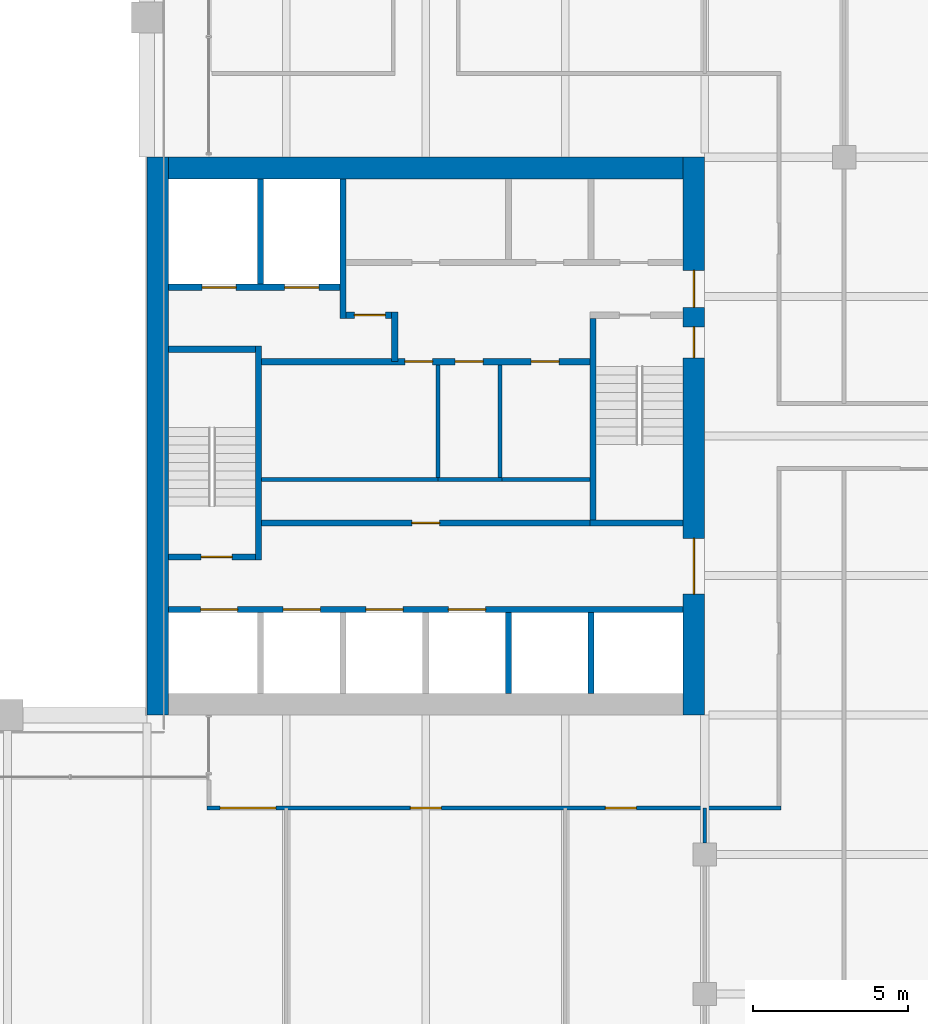
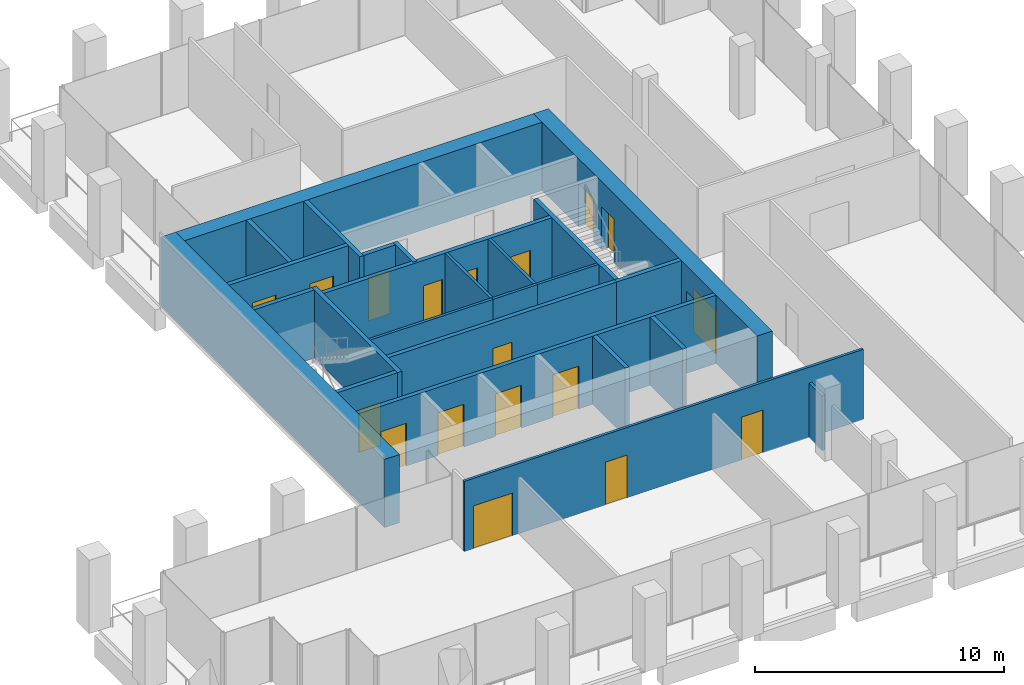
# One storey, part 41 of 46: 25 walls, 18 doors, 18 openings.
"""IFC4 building model written with IfcOpenShell, lengths in metres."""

import ifcopenshell
import ifcopenshell.guid

model = None  # the IFC model being written
_history = None  # IfcOwnerHistory: only IFC2X3 demands one
_inside = {}  # id of a spatial element -> (the spatial element, [elements in it])
_under = {}  # id of a project, library or spatial element -> (it, [spatial elements below it])
_declared = {}  # id of a project -> (the project, [libraries it declares])
_typed = {}  # id of a type object -> (the type object, [elements of that type])
_made_of = {}  # id of a material, layer set ... -> (it, [elements and type objects made of it])


def new_model(schema):
    """Start an empty IFC model of exactly this schema.

    Asked for "IFC4X3", IfcOpenShell would pick the latest addendum, in which some entities
    have other attributes; the version numbers below select the first issue.
    IFC2X3 requires an IfcOwnerHistory on every rooted entity: one is made here for all.
    """
    global model, _history
    if schema == "IFC4X3":
        model = ifcopenshell.file(schema_version=(4, 3, 0, 0))
    else:
        model = ifcopenshell.file(schema=schema)
    _inside.clear()
    _under.clear()
    _declared.clear()
    _typed.clear()
    _made_of.clear()
    _history = None
    if model.schema == "IFC2X3":
        org = make("IfcOrganization", Name="unknown")
        user = make(
            "IfcPersonAndOrganization",
            ThePerson=make("IfcPerson", FamilyName="unknown"),
            TheOrganization=org,
        )
        app = make(
            "IfcApplication",
            ApplicationDeveloper=org,
            Version="unknown",
            ApplicationFullName="unknown",
            ApplicationIdentifier="unknown",
        )
        _history = make(
            "IfcOwnerHistory",
            OwningUser=user,
            OwningApplication=app,
            ChangeAction="ADDED",
            CreationDate=0,
        )
    return model


def make(cls, **values):
    """One entity of the class cls with the attributes given. An attribute that is None is left unset."""
    return model.create_entity(
        cls, **{name: value for name, value in values.items() if value is not None}
    )


def rooted(cls, **values):
    """An entity with a GlobalId (a new one), such as an element, a storey or a relation."""
    return make(cls, GlobalId=ifcopenshell.guid.new(), OwnerHistory=_history, **values)


def si_unit(unit_type, name, prefix=None):
    """IfcSIUnit, for example si_unit("LENGTHUNIT", "METRE", prefix="MILLI")."""
    return make("IfcSIUnit", UnitType=unit_type, Prefix=prefix, Name=name)


def assignment(units):
    """IfcUnitAssignment: the units of a project."""
    return None if units is None else make("IfcUnitAssignment", Units=units)


def point(xyz):
    """IfcCartesianPoint."""
    return None if xyz is None else make("IfcCartesianPoint", Coordinates=xyz)


def direction(xyz):
    """IfcDirection."""
    return None if xyz is None else make("IfcDirection", DirectionRatios=xyz)


def frame(location, z_axis=None, x_axis=None):
    """IfcAxis2Placement3D, a coordinate frame: its origin and axes. An axis left out is left unset."""
    return make(
        "IfcAxis2Placement3D",
        Location=point(location),
        Axis=direction(z_axis),
        RefDirection=direction(x_axis),
    )


def frame_2d(location, x_axis=None):
    """IfcAxis2Placement2D, a coordinate frame in the plane: its origin and x axis."""
    return make(
        "IfcAxis2Placement2D", Location=point(location), RefDirection=direction(x_axis)
    )


def origin():
    """The frame at (0, 0, 0) with its axes left unset."""
    return frame((0.0, 0.0, 0.0))


def place(relative_to, where):
    """IfcLocalPlacement: puts the frame where relative to a parent placement (None: the world)."""
    return make(
        "IfcLocalPlacement", PlacementRelTo=relative_to, RelativePlacement=where
    )


def context(
    kind, dimensions, precision=None, world=None, true_north=None, identifier=None
):
    """IfcGeometricRepresentationContext, for example the 3D "Model" context."""
    return make(
        "IfcGeometricRepresentationContext",
        ContextIdentifier=identifier,
        ContextType=kind,
        CoordinateSpaceDimension=dimensions,
        Precision=precision,
        WorldCoordinateSystem=world,
        TrueNorth=true_north,
    )


def subcontext(parent, identifier, kind, view, scale=None):
    """IfcGeometricRepresentationSubContext, for example "Body" below "Model"."""
    return make(
        "IfcGeometricRepresentationSubContext",
        ContextIdentifier=identifier,
        ContextType=kind,
        ParentContext=parent,
        TargetScale=scale,
        TargetView=view,
    )


def project(units=None, contexts=None):
    """IfcProject with its units and contexts."""
    return rooted(
        "IfcProject",
        Name="project",
        RepresentationContexts=contexts,
        UnitsInContext=assignment(units),
    )


def spatial(cls, under=None, at=None, **own):
    """A site, building, storey or space (cls), placed at a placement, below another one or the project."""
    s = rooted(cls, ObjectPlacement=at, **own)
    if under is not None:
        _under.setdefault(under.id(), (under, []))[1].append(s)
    return s


def profile(cls, at=None, kind="AREA", **sizes):
    """A parametric profile (cls). Its sizes go by their IFC names, for example OverallWidth=200.0."""
    return make(cls, ProfileType=kind, Position=at, **sizes)


def rectangle(**sizes):
    """IfcRectangleProfileDef."""
    return profile("IfcRectangleProfileDef", **sizes)


def extrude(swept, where, along, depth):
    """IfcExtrudedAreaSolid: the profile swept, set in the frame where, extruded along a direction by depth."""
    return make(
        "IfcExtrudedAreaSolid",
        SweptArea=swept,
        Position=where,
        ExtrudedDirection=direction(along),
        Depth=depth,
    )


def shape(context_of_items, identifier, shape_type, items):
    """IfcShapeRepresentation: the items that make up one representation, for example the "Body"."""
    return make(
        "IfcShapeRepresentation",
        ContextOfItems=context_of_items,
        RepresentationIdentifier=identifier,
        RepresentationType=shape_type,
        Items=items,
    )


def material(Name=None, Category=None):
    """IfcMaterial."""
    return make("IfcMaterial", Name=Name, Category=Category)


def layer(
    of_material, thickness, ventilated=None, Name=None, Category=None, Priority=None
):
    """IfcMaterialLayer: one layer of a wall or slab, of a material (None: an air gap)."""
    return make(
        "IfcMaterialLayer",
        Material=of_material,
        LayerThickness=thickness,
        IsVentilated=ventilated,
        Name=Name,
        Category=Category,
        Priority=Priority,
    )


def layer_set(layers, Name=None):
    """IfcMaterialLayerSet."""
    return make("IfcMaterialLayerSet", MaterialLayers=layers, LayerSetName=Name)


def made_of(thing, what):
    """Note that an element or type object is made of a material, layer set ...; save() writes the relation."""
    if what is not None:
        _made_of.setdefault(what.id(), (what, []))[1].append(thing)
    return thing


def type_object(cls, material=None, **own):
    """A type object (cls), such as IfcWallType, which elements share."""
    return made_of(rooted(cls, **own), material)


def element(
    cls,
    number,
    at=None,
    inside=None,
    cuts=None,
    type_object=None,
    material=None,
    context=None,
    identifier="Body",
    shape_type=None,
    held_by="IfcProductDefinitionShape",
    body=None,
    shapes=None,
    **own,
):
    """One element of the class cls, such as IfcWall. Its Tag is "e" and its number.

    at: its placement. inside: the storey or other place that contains it. cuts: it is an
    opening in that element (IfcRelVoidsElement). A single representation is given by context,
    identifier, shape_type and body (its items); several are given by shapes. held_by: the class
    of the entity that holds the representations. save() writes the other relations.
    """
    e = rooted(cls, Tag="e%d" % number, ObjectPlacement=at, **own)
    if body is not None:
        shapes = [shape(context, identifier, shape_type, body)]
    if shapes is not None:
        e.Representation = make(held_by, Representations=shapes)
    if inside is not None:
        _inside.setdefault(inside.id(), (inside, []))[1].append(e)
    if cuts is not None:
        rooted(
            "IfcRelVoidsElement", RelatingBuildingElement=cuts, RelatedOpeningElement=e
        )
    if type_object is not None:
        _typed.setdefault(type_object.id(), (type_object, []))[1].append(e)
    return made_of(e, material)


def fill(opening, filler):
    """IfcRelFillsElement: the door or window that sits in an opening."""
    return rooted(
        "IfcRelFillsElement",
        RelatingOpeningElement=opening,
        RelatedBuildingElement=filler,
    )


def aggregate(whole, parts):
    """IfcRelAggregates: a whole, such as a stair, and the parts it consists of."""
    return rooted("IfcRelAggregates", RelatingObject=whole, RelatedObjects=parts)


def save(model, path):
    """Write the relations noted so far, then the file.

    IfcRelAggregates (storeys below a building ...), IfcRelContainedInSpatialStructure (elements
    in a storey), IfcRelDefinesByType, IfcRelAssociatesMaterial and IfcRelDeclares: one each for
    every whole, place, type object, material and project.
    """
    for whole, parts in _under.values():
        aggregate(whole, parts)
    for where, things in _inside.values():
        rooted(
            "IfcRelContainedInSpatialStructure",
            RelatedElements=things,
            RelatingStructure=where,
        )
    for kind, things in _typed.values():
        rooted("IfcRelDefinesByType", RelatedObjects=things, RelatingType=kind)
    for what, things in _made_of.values():
        rooted("IfcRelAssociatesMaterial", RelatedObjects=things, RelatingMaterial=what)
    for by, libraries in _declared.values():
        rooted("IfcRelDeclares", RelatingContext=by, RelatedDefinitions=libraries)
    model.write(path)


model = new_model("IFC4")

# Units and contexts
model_context = context("Model", 3, precision=1e-05, world=origin(), true_north=direction((0.0, 1.0)))
body_context = subcontext(model_context, "Body", "Model", "MODEL_VIEW")
ifc_project = project(units=[si_unit("LENGTHUNIT", "METRE"), si_unit("AREAUNIT", "SQUARE_METRE"), si_unit("VOLUMEUNIT", "CUBIC_METRE"), si_unit("PLANEANGLEUNIT", "RADIAN"), si_unit("MASSUNIT", "GRAM", prefix="KILO")], contexts=[model_context])

# Site, building, storey
site_placement = place(None, origin())
site = spatial("IfcSite", under=ifc_project, at=site_placement, CompositionType="ELEMENT")
building_placement = place(site_placement, origin())
building = spatial("IfcBuilding", under=site, at=building_placement, Name="Altepetl Exchange Towers", CompositionType="ELEMENT")
storey_placement = place(building_placement, frame((0.0, 0.0, 106.39990234375)))
storey = spatial("IfcBuildingStorey", under=building, at=storey_placement, Name="L26", CompositionType="ELEMENT", Elevation=106.39990234375)

# Wall, openings, doors
ifc_material_1 = material(Name="Concrete C70/85", Category="concrete")
ifc_layer_1 = layer(ifc_material_1, 0.699951171875)
ifc_layer_set_1 = layer_set([ifc_layer_1], Name="Concrete C70/85")
wall_type_1 = type_object("IfcWallType", Name="Core wall 700 reinforced concrete", PredefinedType="SHEAR", material=ifc_layer_set_1)
wall_1_placement = place(storey_placement, frame((58.14990234375, 40.5, 0.0), z_axis=(0.0, 0.0, 1.0), x_axis=(0.0, 1.0, 0.0)))
wall_1 = element("IfcWall", 1, at=wall_1_placement, inside=storey, type_object=wall_type_1, Name="wall:A:L26:K-coreE", PredefinedType="SHEAR", context=body_context, shape_type="SweptSolid", body=[
    extrude(rectangle(XDim=18.0, YDim=0.699951171875, at=frame_2d((9.0, 0.0))), origin(), (0.0, 0.0, 1.0), 3.35009765625),
])
opening_1_placement = place(wall_1_placement, frame((13.14990234375, 0.0, 0.0)))
opening_1 = element("IfcOpeningElement", 2, at=opening_1_placement, cuts=wall_1, Name="Opening L26.A60", PredefinedType="OPENING", context=body_context, shape_type="SweptSolid", body=[
    extrude(rectangle(XDim=1.199951171875, YDim=2.10009765625, at=frame_2d((0.60009765625, 1.050048828125))), frame((0.0, 0.35986328125, 0.0), z_axis=(0.0, -1.0, 0.0), x_axis=(1.0, 0.0, 0.0)), (0.0, 0.0, 1.0), 0.719970703125),
])
opening_2_placement = place(wall_1_placement, frame((3.89990234375, 0.0, 0.0)))
opening_2 = element("IfcOpeningElement", 3, at=opening_2_placement, cuts=wall_1, Name="Opening L26.A61", PredefinedType="OPENING", context=body_context, shape_type="SweptSolid", body=[
    extrude(rectangle(XDim=1.800048828125, YDim=2.10009765625, at=frame_2d((0.89990234375, 1.050048828125))), frame((0.0, 0.35986328125, 0.0), z_axis=(0.0, -1.0, 0.0), x_axis=(1.0, 0.0, 0.0)), (0.0, 0.0, 1.0), 0.719970703125),
])
opening_3_placement = place(wall_1_placement, frame((11.52490234375, 0.0, 0.0)))
opening_3 = element("IfcOpeningElement", 4, at=opening_3_placement, cuts=wall_1, Name="Opening L26.A64", PredefinedType="OPENING", context=body_context, shape_type="SweptSolid", body=[
    extrude(rectangle(XDim=1.0, YDim=2.10009765625, at=frame_2d((0.5, 1.050048828125))), frame((0.0, 0.35986328125, 0.0), z_axis=(0.0, -1.0, 0.0), x_axis=(1.0, 0.0, 0.0)), (0.0, 0.0, 1.0), 0.719970703125),
])
ifc_material_2 = material(Name="Steel and timber fire door", Category="steel")
door_type_1 = type_object("IfcDoorType", Name="Fire door 1000 x 2100 stair and lobby", OperationType="SINGLE_SWING_LEFT", PredefinedType="DOOR", material=ifc_material_2)
door_1_placement = place(opening_3_placement, origin())
door_1 = element("IfcDoor", 5, at=door_1_placement, inside=storey, type_object=door_type_1, Name="door:A:L26:K-dS2x", OperationType="SINGLE_SWING_RIGHT", OverallHeight=2.10009765625, OverallWidth=1.0, PredefinedType="DOOR", context=body_context, shape_type="SweptSolid", body=[
    extrude(rectangle(XDim=1.0, YDim=2.10009765625, at=frame_2d((0.5, 1.050048828125))), frame((0.0, 0.02490234375, 0.0), z_axis=(0.0, -1.0, 0.0), x_axis=(1.0, 0.0, 0.0)), (0.0, 0.0, 1.0), 0.050048828125),
])
fill(opening_3, door_1)
door_type_2 = type_object("IfcDoorType", Name="Fire door 1200 x 2100 lobby entry", OperationType="SINGLE_SWING_LEFT", PredefinedType="DOOR", material=ifc_material_2)
door_2_placement = place(opening_1_placement, origin())
door_2 = element("IfcDoor", 6, at=door_2_placement, inside=storey, type_object=door_type_2, Name="door:A:L26:K-dLNE", OperationType="SINGLE_SWING_RIGHT", OverallHeight=2.10009765625, OverallWidth=1.199951171875, PredefinedType="DOOR", context=body_context, shape_type="SweptSolid", body=[
    extrude(rectangle(XDim=1.199951171875, YDim=2.10009765625, at=frame_2d((0.60009765625, 1.050048828125))), frame((0.0, 0.02490234375, 0.0), z_axis=(0.0, -1.0, 0.0), x_axis=(1.0, 0.0, 0.0)), (0.0, 0.0, 1.0), 0.050048828125),
])
fill(opening_1, door_2)
door_type_3 = type_object("IfcDoorType", Name="Fire door 1800 x 2100 lobby entry", OperationType="DOUBLE_DOOR_SINGLE_SWING", PredefinedType="DOOR", material=ifc_material_2)
door_3_placement = place(opening_2_placement, origin())
door_3 = element("IfcDoor", 7, at=door_3_placement, inside=storey, type_object=door_type_3, Name="door:A:L26:K-dLSE", OperationType="DOUBLE_DOOR_SINGLE_SWING", OverallHeight=2.10009765625, OverallWidth=1.800048828125, PredefinedType="DOOR", context=body_context, shape_type="SweptSolid", body=[
    extrude(rectangle(XDim=1.800048828125, YDim=2.10009765625, at=frame_2d((0.89990234375, 1.050048828125))), frame((0.0, 0.02490234375, 0.0), z_axis=(0.0, -1.0, 0.0), x_axis=(1.0, 0.0, 0.0)), (0.0, 0.0, 1.0), 0.050048828125),
])
fill(opening_2, door_3)

# Walls
wall_2_placement = place(storey_placement, frame((41.199951171875, 58.14990234375, 0.0)))
element("IfcWall", 8, at=wall_2_placement, inside=storey, type_object=wall_type_1, Name="wall:A:L26:K-coreN", PredefinedType="SHEAR", context=body_context, shape_type="SweptSolid", body=[
    extrude(rectangle(XDim=16.60009765625, YDim=0.699951171875, at=frame_2d((8.300048828125, 0.0))), origin(), (0.0, 0.0, 1.0), 3.35009765625),
])
ifc_layer_2 = layer(ifc_material_1, 0.699951171875)
ifc_layer_set_2 = layer_set([ifc_layer_2], Name="Concrete C70/85")
wall_type_2 = type_object("IfcWallType", Name="Core wall 700 reinforced concrete external", PredefinedType="SHEAR", material=ifc_layer_set_2)
wall_3_placement = place(storey_placement, frame((40.85009765625, 40.5, 0.0), z_axis=(0.0, 0.0, 1.0), x_axis=(0.0, 1.0, 0.0)))
element("IfcWall", 9, at=wall_3_placement, inside=storey, type_object=wall_type_2, Name="wall:A:L26:K-coreW", PredefinedType="SHEAR", context=body_context, shape_type="SweptSolid", body=[
    extrude(rectangle(XDim=18.0, YDim=0.699951171875, at=frame_2d((9.0, 0.0))), origin(), (0.0, 0.0, 1.0), 3.35009765625),
])
ifc_material_3 = material(Name="Concrete blockwork", Category="masonry")
ifc_layer_3 = layer(ifc_material_3, 0.199951171875)
ifc_layer_set_3 = layer_set([ifc_layer_3], Name="Concrete blockwork")
wall_type_3 = type_object("IfcWallType", Name="Lobby wall 200 blockwork", PredefinedType="PARTITIONING", material=ifc_layer_set_3)
wall_4_placement = place(storey_placement, frame((48.5, 51.89990234375, 0.0), z_axis=(0.0, 0.0, 1.0), x_axis=(0.0, 1.0, 0.0)))
element("IfcWall", 10, at=wall_4_placement, inside=storey, type_object=wall_type_3, Name="wall:A:L26:K-ffE", PredefinedType="PARTITIONING", context=body_context, shape_type="SweptSolid", body=[
    extrude(rectangle(XDim=1.60009765625, YDim=0.199951171875, at=frame_2d((0.800048828125, 0.0))), origin(), (0.0, 0.0, 1.0), 3.35009765625),
])

# Wall, opening, door
wall_5_placement = place(storey_placement, frame((46.933349609375, 53.39990234375, 0.0)))
wall_5 = element("IfcWall", 11, at=wall_5_placement, inside=storey, type_object=wall_type_3, Name="wall:A:L26:K-ffN", PredefinedType="PARTITIONING", context=body_context, shape_type="SweptSolid", body=[
    extrude(rectangle(XDim=1.466552734375, YDim=0.199951171875, at=frame_2d((0.7333984375, 0.0))), origin(), (0.0, 0.0, 1.0), 3.35009765625),
])
opening_4_placement = place(wall_5_placement, frame((0.2666015625, 0.0, 0.0)))
opening_4 = element("IfcOpeningElement", 12, at=opening_4_placement, cuts=wall_5, Name="Opening L26.A65", PredefinedType="OPENING", context=body_context, shape_type="SweptSolid", body=[
    extrude(rectangle(XDim=1.0, YDim=2.10009765625, at=frame_2d((0.5, 1.050048828125))), frame((0.0, 0.10986328125, 0.0), z_axis=(0.0, -1.0, 0.0), x_axis=(1.0, 0.0, 0.0)), (0.0, 0.0, 1.0), 0.219970703125),
])
door_4_placement = place(opening_4_placement, frame((1.0, 0.0, 0.0), x_axis=(-1.0, 0.0, 0.0)))
door_4 = element("IfcDoor", 13, at=door_4_placement, inside=storey, type_object=door_type_1, Name="door:A:L26:K-dffN", OperationType="SINGLE_SWING_RIGHT", OverallHeight=2.10009765625, OverallWidth=1.0, PredefinedType="DOOR", context=body_context, shape_type="SweptSolid", body=[
    extrude(rectangle(XDim=1.0, YDim=2.10009765625, at=frame_2d((0.5, 1.050048828125))), frame((0.0, 0.02490234375, 0.0), z_axis=(0.0, -1.0, 0.0), x_axis=(1.0, 0.0, 0.0)), (0.0, 0.0, 1.0), 0.050048828125),
])
fill(opening_4, door_4)

# Wall, openings, doors
wall_6_placement = place(storey_placement, frame((44.199951171875, 51.89990234375, 0.0)))
wall_6 = element("IfcWall", 14, at=wall_6_placement, inside=storey, type_object=wall_type_3, Name="wall:A:L26:K-zoneN", PredefinedType="PARTITIONING", context=body_context, shape_type="SweptSolid", body=[
    extrude(rectangle(XDim=10.60009765625, YDim=0.199951171875, at=frame_2d((5.300048828125, 0.0))), origin(), (0.0, 0.0, 1.0), 3.35009765625),
])
opening_5_placement = place(wall_6_placement, frame((4.625, 0.0, 0.0)))
opening_5 = element("IfcOpeningElement", 15, at=opening_5_placement, cuts=wall_6, Name="Opening L26.A70", PredefinedType="OPENING", context=body_context, shape_type="SweptSolid", body=[
    extrude(rectangle(XDim=0.89990234375, YDim=2.10009765625, at=frame_2d((0.449951171875, 1.050048828125))), frame((0.0, 0.10986328125, 0.0), z_axis=(0.0, -1.0, 0.0), x_axis=(1.0, 0.0, 0.0)), (0.0, 0.0, 1.0), 0.219970703125),
])
opening_6_placement = place(wall_6_placement, frame((6.25, 0.0, 0.0)))
opening_6 = element("IfcOpeningElement", 16, at=opening_6_placement, cuts=wall_6, Name="Opening L26.A71", PredefinedType="OPENING", context=body_context, shape_type="SweptSolid", body=[
    extrude(rectangle(XDim=0.89990234375, YDim=2.10009765625, at=frame_2d((0.449951171875, 1.050048828125))), frame((0.0, 0.10986328125, 0.0), z_axis=(0.0, -1.0, 0.0), x_axis=(1.0, 0.0, 0.0)), (0.0, 0.0, 1.0), 0.219970703125),
])
opening_7_placement = place(wall_6_placement, frame((8.699951171875, 0.0, 0.0)))
opening_7 = element("IfcOpeningElement", 17, at=opening_7_placement, cuts=wall_6, Name="Opening L26.A72", PredefinedType="OPENING", context=body_context, shape_type="SweptSolid", body=[
    extrude(rectangle(XDim=0.89990234375, YDim=2.10009765625, at=frame_2d((0.449951171875, 1.050048828125))), frame((0.0, 0.10986328125, 0.0), z_axis=(0.0, -1.0, 0.0), x_axis=(1.0, 0.0, 0.0)), (0.0, 0.0, 1.0), 0.219970703125),
])
door_type_4 = type_object("IfcDoorType", Name="Fire door 900 x 2100 service room", OperationType="SINGLE_SWING_LEFT", PredefinedType="DOOR", material=ifc_material_2)
door_5_placement = place(opening_5_placement, frame((0.89990234375, 0.0, 0.0), x_axis=(-1.0, 0.0, 0.0)))
door_5 = element("IfcDoor", 18, at=door_5_placement, inside=storey, type_object=door_type_4, Name="door:A:L26:K-dz2", OperationType="SINGLE_SWING_RIGHT", OverallHeight=2.10009765625, OverallWidth=0.89990234375, PredefinedType="DOOR", context=body_context, shape_type="SweptSolid", body=[
    extrude(rectangle(XDim=0.89990234375, YDim=2.10009765625, at=frame_2d((0.449951171875, 1.050048828125))), frame((0.0, 0.02490234375, 0.0), z_axis=(0.0, -1.0, 0.0), x_axis=(1.0, 0.0, 0.0)), (0.0, 0.0, 1.0), 0.050048828125),
])
fill(opening_5, door_5)
door_6_placement = place(opening_6_placement, frame((0.89990234375, 0.0, 0.0), x_axis=(-1.0, 0.0, 0.0)))
door_6 = element("IfcDoor", 19, at=door_6_placement, inside=storey, type_object=door_type_4, Name="door:A:L26:K-dz3", OperationType="SINGLE_SWING_LEFT", OverallHeight=2.10009765625, OverallWidth=0.89990234375, PredefinedType="DOOR", context=body_context, shape_type="SweptSolid", body=[
    extrude(rectangle(XDim=0.89990234375, YDim=2.10009765625, at=frame_2d((0.449951171875, 1.050048828125))), frame((0.0, 0.02490234375, 0.0), z_axis=(0.0, -1.0, 0.0), x_axis=(1.0, 0.0, 0.0)), (0.0, 0.0, 1.0), 0.050048828125),
])
fill(opening_6, door_6)
door_7_placement = place(opening_7_placement, frame((0.89990234375, 0.0, 0.0), x_axis=(-1.0, 0.0, 0.0)))
door_7 = element("IfcDoor", 20, at=door_7_placement, inside=storey, type_object=door_type_4, Name="door:A:L26:K-dz4", OperationType="SINGLE_SWING_LEFT", OverallHeight=2.10009765625, OverallWidth=0.89990234375, PredefinedType="DOOR", context=body_context, shape_type="SweptSolid", body=[
    extrude(rectangle(XDim=0.89990234375, YDim=2.10009765625, at=frame_2d((0.449951171875, 1.050048828125))), frame((0.0, 0.02490234375, 0.0), z_axis=(0.0, -1.0, 0.0), x_axis=(1.0, 0.0, 0.0)), (0.0, 0.0, 1.0), 0.050048828125),
])
fill(opening_7, door_7)

# Wall, opening, door
wall_7_placement = place(storey_placement, frame((44.199951171875, 46.699951171875, 0.0)))
wall_7 = element("IfcWall", 21, at=wall_7_placement, inside=storey, type_object=wall_type_3, Name="wall:A:L26:K-zoneS", PredefinedType="PARTITIONING", context=body_context, shape_type="SweptSolid", body=[
    extrude(rectangle(XDim=10.60009765625, YDim=0.199951171875, at=frame_2d((5.300048828125, 0.0))), origin(), (0.0, 0.0, 1.0), 3.35009765625),
])
opening_8_placement = place(wall_7_placement, frame((4.85009765625, 0.0, 0.0)))
opening_8 = element("IfcOpeningElement", 22, at=opening_8_placement, cuts=wall_7, Name="Opening L26.A69", PredefinedType="OPENING", context=body_context, shape_type="SweptSolid", body=[
    extrude(rectangle(XDim=0.89990234375, YDim=2.10009765625, at=frame_2d((0.449951171875, 1.050048828125))), frame((0.0, 0.10986328125, 0.0), z_axis=(0.0, -1.0, 0.0), x_axis=(1.0, 0.0, 0.0)), (0.0, 0.0, 1.0), 0.219970703125),
])
door_8_placement = place(opening_8_placement, origin())
door_8 = element("IfcDoor", 23, at=door_8_placement, inside=storey, type_object=door_type_4, Name="door:A:L26:K-dz1", OperationType="SINGLE_SWING_LEFT", OverallHeight=2.10009765625, OverallWidth=0.89990234375, PredefinedType="DOOR", context=body_context, shape_type="SweptSolid", body=[
    extrude(rectangle(XDim=0.89990234375, YDim=2.10009765625, at=frame_2d((0.449951171875, 1.050048828125))), frame((0.0, 0.02490234375, 0.0), z_axis=(0.0, -1.0, 0.0), x_axis=(1.0, 0.0, 0.0)), (0.0, 0.0, 1.0), 0.050048828125),
])
fill(opening_8, door_8)

# Walls
ifc_material_4 = material(Name="Gypsum board on steel studs", Category="steel")
ifc_layer_4 = layer(ifc_material_4, 0.125)
ifc_layer_set_4 = layer_set([ifc_layer_4], Name="Gypsum board on steel studs")
wall_type_4 = type_object("IfcWallType", Name="Partition 125 gypsum board on steel studs", PredefinedType="PARTITIONING", material=ifc_layer_set_4)
wall_8_placement = place(storey_placement, frame((49.96240234375, 48.10009765625, 0.0), z_axis=(0.0, 0.0, 1.0), x_axis=(-1.0, 0.0, 0.0)))
element("IfcWall", 24, at=wall_8_placement, inside=storey, type_object=wall_type_4, Name="wall:A:L26:K-zp1", PredefinedType="PARTITIONING", context=body_context, shape_type="SweptSolid", body=[
    extrude(rectangle(XDim=5.762451171875, YDim=0.125, at=frame_2d((2.88134765625, 0.0))), origin(), (0.0, 0.0, 1.0), 3.35009765625),
])
wall_9_placement = place(storey_placement, frame((51.96240234375, 48.10009765625, 0.0), z_axis=(0.0, 0.0, 1.0), x_axis=(-1.0, 0.0, 0.0)))
element("IfcWall", 25, at=wall_9_placement, inside=storey, type_object=wall_type_4, Name="wall:A:L26:K-zp2", PredefinedType="PARTITIONING", context=body_context, shape_type="SweptSolid", body=[
    extrude(rectangle(XDim=2.0625, YDim=0.125, at=frame_2d((1.03125, 0.0))), origin(), (0.0, 0.0, 1.0), 3.35009765625),
])
wall_10_placement = place(storey_placement, frame((49.89990234375, 48.16259765625, 0.0), z_axis=(0.0, 0.0, 1.0), x_axis=(0.0, 1.0, 0.0)))
element("IfcWall", 26, at=wall_10_placement, inside=storey, type_object=wall_type_4, Name="wall:A:L26:K-zp3", PredefinedType="PARTITIONING", context=body_context, shape_type="SweptSolid", body=[
    extrude(rectangle(XDim=3.637451171875, YDim=0.125, at=frame_2d((1.81884765625, 0.0))), origin(), (0.0, 0.0, 1.0), 3.35009765625),
])
wall_11_placement = place(storey_placement, frame((54.800048828125, 48.10009765625, 0.0), z_axis=(0.0, 0.0, 1.0), x_axis=(-1.0, 0.0, 0.0)))
element("IfcWall", 27, at=wall_11_placement, inside=storey, type_object=wall_type_4, Name="wall:A:L26:K-zp4", PredefinedType="PARTITIONING", context=body_context, shape_type="SweptSolid", body=[
    extrude(rectangle(XDim=2.900146484375, YDim=0.125, at=frame_2d((1.4501953125, 0.0))), origin(), (0.0, 0.0, 1.0), 3.35009765625),
])
wall_12_placement = place(storey_placement, frame((51.89990234375, 48.16259765625, 0.0), z_axis=(0.0, 0.0, 1.0), x_axis=(0.0, 1.0, 0.0)))
element("IfcWall", 28, at=wall_12_placement, inside=storey, type_object=wall_type_4, Name="wall:A:L26:K-zp5", PredefinedType="PARTITIONING", context=body_context, shape_type="SweptSolid", body=[
    extrude(rectangle(XDim=3.637451171875, YDim=0.125, at=frame_2d((1.81884765625, 0.0))), origin(), (0.0, 0.0, 1.0), 3.35009765625),
])

# Wall, openings, doors
wall_13_placement = place(storey_placement, frame((42.4375, 37.5, 0.0)))
wall_13 = element("IfcWall", 29, at=wall_13_placement, inside=storey, type_object=wall_type_4, Name="wall:A:L26:P01", PredefinedType="PARTITIONING", context=body_context, shape_type="SweptSolid", body=[
    extrude(rectangle(XDim=18.52490234375, YDim=0.125, at=frame_2d((9.262451171875, 0.0))), origin(), (0.0, 0.0, 1.0), 3.4501953125),
])
opening_9_placement = place(wall_13_placement, frame((6.5625, 0.0, 0.0)))
opening_9 = element("IfcOpeningElement", 30, at=opening_9_placement, cuts=wall_13, Name="Opening L26.A01", PredefinedType="OPENING", context=body_context, shape_type="SweptSolid", body=[
    extrude(rectangle(XDim=1.0, YDim=2.10009765625, at=frame_2d((0.5, 1.050048828125))), frame((0.0, 0.072509765625, 0.0), z_axis=(0.0, -1.0, 0.0), x_axis=(1.0, 0.0, 0.0)), (0.0, 0.0, 1.0), 0.14501953125),
])
opening_10_placement = place(wall_13_placement, frame((12.857421875, 0.0, 0.0)))
opening_10 = element("IfcOpeningElement", 31, at=opening_10_placement, cuts=wall_13, Name="Opening L26.A02", PredefinedType="OPENING", context=body_context, shape_type="SweptSolid", body=[
    extrude(rectangle(XDim=1.0, YDim=2.10009765625, at=frame_2d((0.5, 1.050048828125))), frame((0.0, 0.072509765625, 0.0), z_axis=(0.0, -1.0, 0.0), x_axis=(1.0, 0.0, 0.0)), (0.0, 0.0, 1.0), 0.14501953125),
])
opening_11_placement = place(wall_13_placement, frame((0.429443359375, 0.0, 0.0)))
opening_11 = element("IfcOpeningElement", 32, at=opening_11_placement, cuts=wall_13, Name="Opening L26.A03", PredefinedType="OPENING", context=body_context, shape_type="SweptSolid", body=[
    extrude(rectangle(XDim=1.800048828125, YDim=2.10009765625, at=frame_2d((0.89990234375, 1.050048828125))), frame((0.0, 0.072509765625, 0.0), z_axis=(0.0, -1.0, 0.0), x_axis=(1.0, 0.0, 0.0)), (0.0, 0.0, 1.0), 0.14501953125),
])
door_type_5 = type_object("IfcDoorType", Name="Fire door 1000 x 2100 single leaf", OperationType="SINGLE_SWING_LEFT", PredefinedType="DOOR", material=ifc_material_2)
door_9_placement = place(opening_9_placement, frame((1.0, 0.0, 0.0), x_axis=(-1.0, 0.0, 0.0)))
door_9 = element("IfcDoor", 33, at=door_9_placement, inside=storey, type_object=door_type_5, Name="door:A:L26:01", OperationType="SINGLE_SWING_LEFT", OverallHeight=2.10009765625, OverallWidth=1.0, PredefinedType="DOOR", context=body_context, shape_type="SweptSolid", body=[
    extrude(rectangle(XDim=1.0, YDim=2.10009765625, at=frame_2d((0.5, 1.050048828125))), frame((0.0, 0.02490234375, 0.0), z_axis=(0.0, -1.0, 0.0), x_axis=(1.0, 0.0, 0.0)), (0.0, 0.0, 1.0), 0.050048828125),
])
fill(opening_9, door_9)
door_10_placement = place(opening_10_placement, frame((1.0, 0.0, 0.0), x_axis=(-1.0, 0.0, 0.0)))
door_10 = element("IfcDoor", 34, at=door_10_placement, inside=storey, type_object=door_type_5, Name="door:A:L26:02", OperationType="SINGLE_SWING_RIGHT", OverallHeight=2.10009765625, OverallWidth=1.0, PredefinedType="DOOR", context=body_context, shape_type="SweptSolid", body=[
    extrude(rectangle(XDim=1.0, YDim=2.10009765625, at=frame_2d((0.5, 1.050048828125))), frame((0.0, 0.02490234375, 0.0), z_axis=(0.0, -1.0, 0.0), x_axis=(1.0, 0.0, 0.0)), (0.0, 0.0, 1.0), 0.050048828125),
])
fill(opening_10, door_10)
door_type_6 = type_object("IfcDoorType", Name="Fire door 1800 x 2100 double leaf", OperationType="DOUBLE_DOOR_SINGLE_SWING", PredefinedType="DOOR", material=ifc_material_2)
door_11_placement = place(opening_11_placement, frame((1.800048828125, 0.0, 0.0), x_axis=(-1.0, 0.0, 0.0)))
door_11 = element("IfcDoor", 35, at=door_11_placement, inside=storey, type_object=door_type_6, Name="door:A:L26:03", OperationType="DOUBLE_DOOR_SINGLE_SWING", OverallHeight=2.10009765625, OverallWidth=1.800048828125, PredefinedType="DOOR", context=body_context, shape_type="SweptSolid", body=[
    extrude(rectangle(XDim=1.800048828125, YDim=2.10009765625, at=frame_2d((0.89990234375, 1.050048828125))), frame((0.0, 0.02490234375, 0.0), z_axis=(0.0, -1.0, 0.0), x_axis=(1.0, 0.0, 0.0)), (0.0, 0.0, 1.0), 0.050048828125),
])
fill(opening_11, door_11)

# Walls
wall_14_placement = place(storey_placement, frame((58.5, 36.375, 0.0), z_axis=(0.0, 0.0, 1.0), x_axis=(0.0, 1.0, 0.0)))
element("IfcWall", 36, at=wall_14_placement, inside=storey, type_object=wall_type_4, Name="wall:A:L26:P13", PredefinedType="PARTITIONING", context=body_context, shape_type="SweptSolid", body=[
    extrude(rectangle(XDim=1.125, YDim=0.125, at=frame_2d((0.5625, 0.0))), origin(), (0.0, 0.0, 1.0), 2.676025390625),
])
ifc_material_5 = material(Name="Concrete C40/50", Category="concrete")
ifc_layer_5 = layer(ifc_material_5, 0.199951171875)
ifc_layer_set_5 = layer_set([ifc_layer_5], Name="Concrete C40/50")
wall_type_5 = type_object("IfcWallType", Name="Shaft wall 200 reinforced concrete", PredefinedType="SHEAR", material=ifc_layer_set_5)
wall_15_placement = place(storey_placement, frame((44.166748046875, 57.800048828125, 0.0), z_axis=(0.0, 0.0, 1.0), x_axis=(0.0, -1.0, 0.0)))
element("IfcWall", 37, at=wall_15_placement, inside=storey, type_object=wall_type_5, Name="wall:A:L26:K-divN1", PredefinedType="SHEAR", context=body_context, shape_type="SweptSolid", body=[
    extrude(rectangle(XDim=3.400146484375, YDim=0.199951171875, at=frame_2d((1.7001953125, 0.0))), origin(), (0.0, 0.0, 1.0), 3.35009765625),
])
wall_16_placement = place(storey_placement, frame((46.833251953125, 57.800048828125, 0.0), z_axis=(0.0, 0.0, 1.0), x_axis=(0.0, -1.0, 0.0)))
element("IfcWall", 38, at=wall_16_placement, inside=storey, type_object=wall_type_5, Name="wall:A:L26:K-divN2", PredefinedType="SHEAR", context=body_context, shape_type="SweptSolid", body=[
    extrude(rectangle(XDim=4.5, YDim=0.199951171875, at=frame_2d((2.25, 0.0))), origin(), (0.0, 0.0, 1.0), 3.35009765625),
])
for number, where, z_axis, x_axis, name in (
    (39, (52.166748046875, 41.199951171875, 0.0), (0.0, 0.0, 1.0), (0.0, 1.0, 0.0), "wall:A:L26:K-divS4"),
    (40, (54.833251953125, 41.199951171875, 0.0), (0.0, 0.0, 1.0), (0.0, 1.0, 0.0), "wall:A:L26:K-divS5"),
):
    element("IfcWall", number, at=place(storey_placement, frame(where, z_axis=z_axis, x_axis=x_axis)), inside=storey, type_object=wall_type_5, Name=name, PredefinedType="SHEAR", context=body_context, shape_type="SweptSolid", body=[
        extrude(rectangle(XDim=2.60009765625, YDim=0.199951171875, at=frame_2d((1.300048828125, 0.0))), origin(), (0.0, 0.0, 1.0), 3.35009765625),
    ])

# Wall, openings, doors
wall_17_placement = place(storey_placement, frame((41.199951171875, 54.300048828125, 0.0)))
wall_17 = element("IfcWall", 41, at=wall_17_placement, inside=storey, type_object=wall_type_5, Name="wall:A:L26:K-frontNd", PredefinedType="SHEAR", context=body_context, shape_type="SweptSolid", body=[
    extrude(rectangle(XDim=5.533447265625, YDim=0.199951171875, at=frame_2d((2.7666015625, 0.0))), origin(), (0.0, 0.0, 1.0), 3.35009765625),
])
opening_12_placement = place(wall_17_placement, frame((1.083251953125, 0.0, 0.0)))
opening_12 = element("IfcOpeningElement", 42, at=opening_12_placement, cuts=wall_17, Name="Opening L26.A73", PredefinedType="OPENING", context=body_context, shape_type="SweptSolid", body=[
    extrude(rectangle(XDim=1.10009765625, YDim=2.10009765625, at=frame_2d((0.550048828125, 1.050048828125))), frame((0.0, 0.10986328125, 0.0), z_axis=(0.0, -1.0, 0.0), x_axis=(1.0, 0.0, 0.0)), (0.0, 0.0, 1.0), 0.219970703125),
])
opening_13_placement = place(wall_17_placement, frame((3.75, 0.0, 0.0)))
opening_13 = element("IfcOpeningElement", 43, at=opening_13_placement, cuts=wall_17, Name="Opening L26.A74", PredefinedType="OPENING", context=body_context, shape_type="SweptSolid", body=[
    extrude(rectangle(XDim=1.10009765625, YDim=2.10009765625, at=frame_2d((0.550048828125, 1.050048828125))), frame((0.0, 0.10986328125, 0.0), z_axis=(0.0, -1.0, 0.0), x_axis=(1.0, 0.0, 0.0)), (0.0, 0.0, 1.0), 0.219970703125),
])
ifc_material_6 = material(Name="Stainless steel", Category="steel")
door_type_7 = type_object("IfcDoorType", Name="Lift landing door 1100 x 2100", OperationType="SLIDING_TO_LEFT", PredefinedType="DOOR", material=ifc_material_6)
door_12_placement = place(opening_12_placement, origin())
door_12 = element("IfcDoor", 44, at=door_12_placement, inside=storey, type_object=door_type_7, Name="Landing door FFL1", OperationType="SLIDING_TO_LEFT", OverallHeight=2.10009765625, OverallWidth=1.10009765625, PredefinedType="DOOR", context=body_context, shape_type="SweptSolid", body=[
    extrude(rectangle(XDim=1.10009765625, YDim=2.10009765625, at=frame_2d((0.550048828125, 1.050048828125))), frame((0.0, 0.02490234375, 0.0), z_axis=(0.0, -1.0, 0.0), x_axis=(1.0, 0.0, 0.0)), (0.0, 0.0, 1.0), 0.050048828125),
])
fill(opening_12, door_12)
door_13_placement = place(opening_13_placement, origin())
door_13 = element("IfcDoor", 45, at=door_13_placement, inside=storey, type_object=door_type_7, Name="Landing door FFL2", OperationType="SLIDING_TO_LEFT", OverallHeight=2.10009765625, OverallWidth=1.10009765625, PredefinedType="DOOR", context=body_context, shape_type="SweptSolid", body=[
    extrude(rectangle(XDim=1.10009765625, YDim=2.10009765625, at=frame_2d((0.550048828125, 1.050048828125))), frame((0.0, 0.02490234375, 0.0), z_axis=(0.0, -1.0, 0.0), x_axis=(1.0, 0.0, 0.0)), (0.0, 0.0, 1.0), 0.050048828125),
])
fill(opening_13, door_13)

wall_18_placement = place(storey_placement, frame((41.199951171875, 43.89990234375, 0.0)))
wall_18 = element("IfcWall", 46, at=wall_18_placement, inside=storey, type_object=wall_type_5, Name="wall:A:L26:K-frontS", PredefinedType="SHEAR", context=body_context, shape_type="SweptSolid", body=[
    extrude(rectangle(XDim=16.60009765625, YDim=0.199951171875, at=frame_2d((8.300048828125, 0.0))), origin(), (0.0, 0.0, 1.0), 3.35009765625),
])
opening_14_placement = place(wall_18_placement, frame((1.033203125, 0.0, 0.0)))
opening_14 = element("IfcOpeningElement", 47, at=opening_14_placement, cuts=wall_18, Name="Opening L26.A75", PredefinedType="OPENING", context=body_context, shape_type="SweptSolid", body=[
    extrude(rectangle(XDim=1.199951171875, YDim=2.10009765625, at=frame_2d((0.60009765625, 1.050048828125))), frame((0.0, 0.10986328125, 0.0), z_axis=(0.0, -1.0, 0.0), x_axis=(1.0, 0.0, 0.0)), (0.0, 0.0, 1.0), 0.219970703125),
])
opening_15_placement = place(wall_18_placement, frame((3.699951171875, 0.0, 0.0)))
opening_15 = element("IfcOpeningElement", 48, at=opening_15_placement, cuts=wall_18, Name="Opening L26.A76", PredefinedType="OPENING", context=body_context, shape_type="SweptSolid", body=[
    extrude(rectangle(XDim=1.199951171875, YDim=2.10009765625, at=frame_2d((0.60009765625, 1.050048828125))), frame((0.0, 0.10986328125, 0.0), z_axis=(0.0, -1.0, 0.0), x_axis=(1.0, 0.0, 0.0)), (0.0, 0.0, 1.0), 0.219970703125),
])
opening_16_placement = place(wall_18_placement, frame((6.36669921875, 0.0, 0.0)))
opening_16 = element("IfcOpeningElement", 49, at=opening_16_placement, cuts=wall_18, Name="Opening L26.A77", PredefinedType="OPENING", context=body_context, shape_type="SweptSolid", body=[
    extrude(rectangle(XDim=1.199951171875, YDim=2.10009765625, at=frame_2d((0.60009765625, 1.050048828125))), frame((0.0, 0.10986328125, 0.0), z_axis=(0.0, -1.0, 0.0), x_axis=(1.0, 0.0, 0.0)), (0.0, 0.0, 1.0), 0.219970703125),
])
opening_17_placement = place(wall_18_placement, frame((9.033203125, 0.0, 0.0)))
opening_17 = element("IfcOpeningElement", 50, at=opening_17_placement, cuts=wall_18, Name="Opening L26.A78", PredefinedType="OPENING", context=body_context, shape_type="SweptSolid", body=[
    extrude(rectangle(XDim=1.199951171875, YDim=2.10009765625, at=frame_2d((0.60009765625, 1.050048828125))), frame((0.0, 0.10986328125, 0.0), z_axis=(0.0, -1.0, 0.0), x_axis=(1.0, 0.0, 0.0)), (0.0, 0.0, 1.0), 0.219970703125),
])
door_type_8 = type_object("IfcDoorType", Name="Lift landing door 1200 x 2100", OperationType="SLIDING_TO_LEFT", PredefinedType="DOOR", material=ifc_material_6)
door_14_placement = place(opening_14_placement, origin())
door_14 = element("IfcDoor", 51, at=door_14_placement, inside=storey, type_object=door_type_8, Name="Landing door P1", OperationType="SLIDING_TO_LEFT", OverallHeight=2.10009765625, OverallWidth=1.199951171875, PredefinedType="DOOR", context=body_context, shape_type="SweptSolid", body=[
    extrude(rectangle(XDim=1.199951171875, YDim=2.10009765625, at=frame_2d((0.60009765625, 1.050048828125))), frame((0.0, 0.02490234375, 0.0), z_axis=(0.0, -1.0, 0.0), x_axis=(1.0, 0.0, 0.0)), (0.0, 0.0, 1.0), 0.050048828125),
])
fill(opening_14, door_14)
door_15_placement = place(opening_15_placement, origin())
door_15 = element("IfcDoor", 52, at=door_15_placement, inside=storey, type_object=door_type_8, Name="Landing door P2", OperationType="SLIDING_TO_LEFT", OverallHeight=2.10009765625, OverallWidth=1.199951171875, PredefinedType="DOOR", context=body_context, shape_type="SweptSolid", body=[
    extrude(rectangle(XDim=1.199951171875, YDim=2.10009765625, at=frame_2d((0.60009765625, 1.050048828125))), frame((0.0, 0.02490234375, 0.0), z_axis=(0.0, -1.0, 0.0), x_axis=(1.0, 0.0, 0.0)), (0.0, 0.0, 1.0), 0.050048828125),
])
fill(opening_15, door_15)
door_16_placement = place(opening_16_placement, origin())
door_16 = element("IfcDoor", 53, at=door_16_placement, inside=storey, type_object=door_type_8, Name="Landing door P3", OperationType="SLIDING_TO_LEFT", OverallHeight=2.10009765625, OverallWidth=1.199951171875, PredefinedType="DOOR", context=body_context, shape_type="SweptSolid", body=[
    extrude(rectangle(XDim=1.199951171875, YDim=2.10009765625, at=frame_2d((0.60009765625, 1.050048828125))), frame((0.0, 0.02490234375, 0.0), z_axis=(0.0, -1.0, 0.0), x_axis=(1.0, 0.0, 0.0)), (0.0, 0.0, 1.0), 0.050048828125),
])
fill(opening_16, door_16)
door_17_placement = place(opening_17_placement, origin())
door_17 = element("IfcDoor", 54, at=door_17_placement, inside=storey, type_object=door_type_8, Name="Landing door P4", OperationType="SLIDING_TO_LEFT", OverallHeight=2.10009765625, OverallWidth=1.199951171875, PredefinedType="DOOR", context=body_context, shape_type="SweptSolid", body=[
    extrude(rectangle(XDim=1.199951171875, YDim=2.10009765625, at=frame_2d((0.60009765625, 1.050048828125))), frame((0.0, 0.02490234375, 0.0), z_axis=(0.0, -1.0, 0.0), x_axis=(1.0, 0.0, 0.0)), (0.0, 0.0, 1.0), 0.050048828125),
])
fill(opening_17, door_17)

# Walls
ifc_layer_6 = layer(ifc_material_5, 0.199951171875)
ifc_layer_set_6 = layer_set([ifc_layer_6], Name="Concrete C40/50")
wall_type_6 = type_object("IfcWallType", Name="Stair wall 200 reinforced concrete", PredefinedType="SHEAR", material=ifc_layer_set_6)
wall_19_placement = place(storey_placement, frame((44.10009765625, 45.5, 0.0), z_axis=(0.0, 0.0, 1.0), x_axis=(0.0, 1.0, 0.0)))
element("IfcWall", 55, at=wall_19_placement, inside=storey, type_object=wall_type_6, Name="wall:A:L26:K-stS1E", PredefinedType="SHEAR", context=body_context, shape_type="SweptSolid", body=[
    extrude(rectangle(XDim=6.89990234375, YDim=0.199951171875, at=frame_2d((3.449951171875, 0.0))), origin(), (0.0, 0.0, 1.0), 3.35009765625),
])
wall_20_placement = place(storey_placement, frame((41.199951171875, 52.300048828125, 0.0)))
element("IfcWall", 56, at=wall_20_placement, inside=storey, type_object=wall_type_6, Name="wall:A:L26:K-stS1N", PredefinedType="SHEAR", context=body_context, shape_type="SweptSolid", body=[
    extrude(rectangle(XDim=2.800048828125, YDim=0.199951171875, at=frame_2d((1.39990234375, 0.0))), origin(), (0.0, 0.0, 1.0), 3.35009765625),
])

# Wall, opening, door
wall_21_placement = place(storey_placement, frame((41.199951171875, 45.60009765625, 0.0)))
wall_21 = element("IfcWall", 57, at=wall_21_placement, inside=storey, type_object=wall_type_6, Name="wall:A:L26:K-stS1S", PredefinedType="SHEAR", context=body_context, shape_type="SweptSolid", body=[
    extrude(rectangle(XDim=2.800048828125, YDim=0.199951171875, at=frame_2d((1.39990234375, 0.0))), origin(), (0.0, 0.0, 1.0), 3.35009765625),
])
opening_18_placement = place(wall_21_placement, frame((1.050048828125, 0.0, 0.0)))
opening_18 = element("IfcOpeningElement", 58, at=opening_18_placement, cuts=wall_21, Name="Opening L26.A62", PredefinedType="OPENING", context=body_context, shape_type="SweptSolid", body=[
    extrude(rectangle(XDim=1.0, YDim=2.10009765625, at=frame_2d((0.5, 1.050048828125))), frame((0.0, 0.10986328125, 0.0), z_axis=(0.0, -1.0, 0.0), x_axis=(1.0, 0.0, 0.0)), (0.0, 0.0, 1.0), 0.219970703125),
])
door_18_placement = place(opening_18_placement, origin())
door_18 = element("IfcDoor", 59, at=door_18_placement, inside=storey, type_object=door_type_1, Name="door:A:L26:K-dS1in", OperationType="SINGLE_SWING_RIGHT", OverallHeight=2.10009765625, OverallWidth=1.0, PredefinedType="DOOR", context=body_context, shape_type="SweptSolid", body=[
    extrude(rectangle(XDim=1.0, YDim=2.10009765625, at=frame_2d((0.5, 1.050048828125))), frame((0.0, 0.02490234375, 0.0), z_axis=(0.0, -1.0, 0.0), x_axis=(1.0, 0.0, 0.0)), (0.0, 0.0, 1.0), 0.050048828125),
])
fill(opening_18, door_18)

# Walls
wall_22_placement = place(storey_placement, frame((54.800048828125, 46.699951171875, 0.0)))
element("IfcWall", 60, at=wall_22_placement, inside=storey, type_object=wall_type_6, Name="wall:A:L26:K-stS2S", PredefinedType="SHEAR", context=body_context, shape_type="SweptSolid", body=[
    extrude(rectangle(XDim=3.0, YDim=0.199951171875, at=frame_2d((1.5, 0.0))), origin(), (0.0, 0.0, 1.0), 3.35009765625),
])
wall_23_placement = place(storey_placement, frame((54.89990234375, 46.800048828125, 0.0), z_axis=(0.0, 0.0, 1.0), x_axis=(0.0, 1.0, 0.0)))
element("IfcWall", 61, at=wall_23_placement, inside=storey, type_object=wall_type_6, Name="wall:A:L26:K-stS2W", PredefinedType="SHEAR", context=body_context, shape_type="SweptSolid", body=[
    extrude(rectangle(XDim=6.5, YDim=0.199951171875, at=frame_2d((3.25, 0.0))), origin(), (0.0, 0.0, 1.0), 3.35009765625),
])

save(model, "model.ifc")
